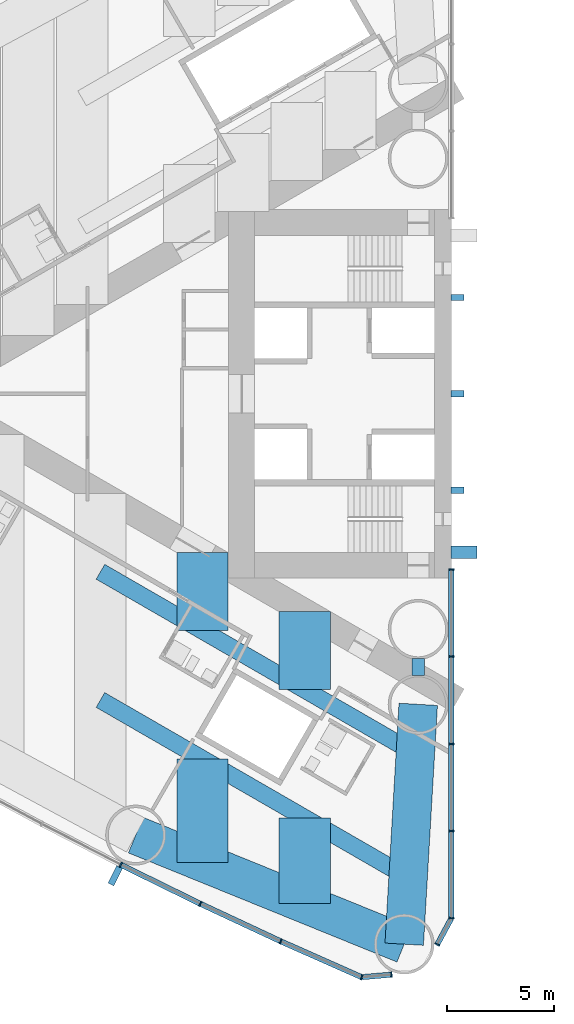
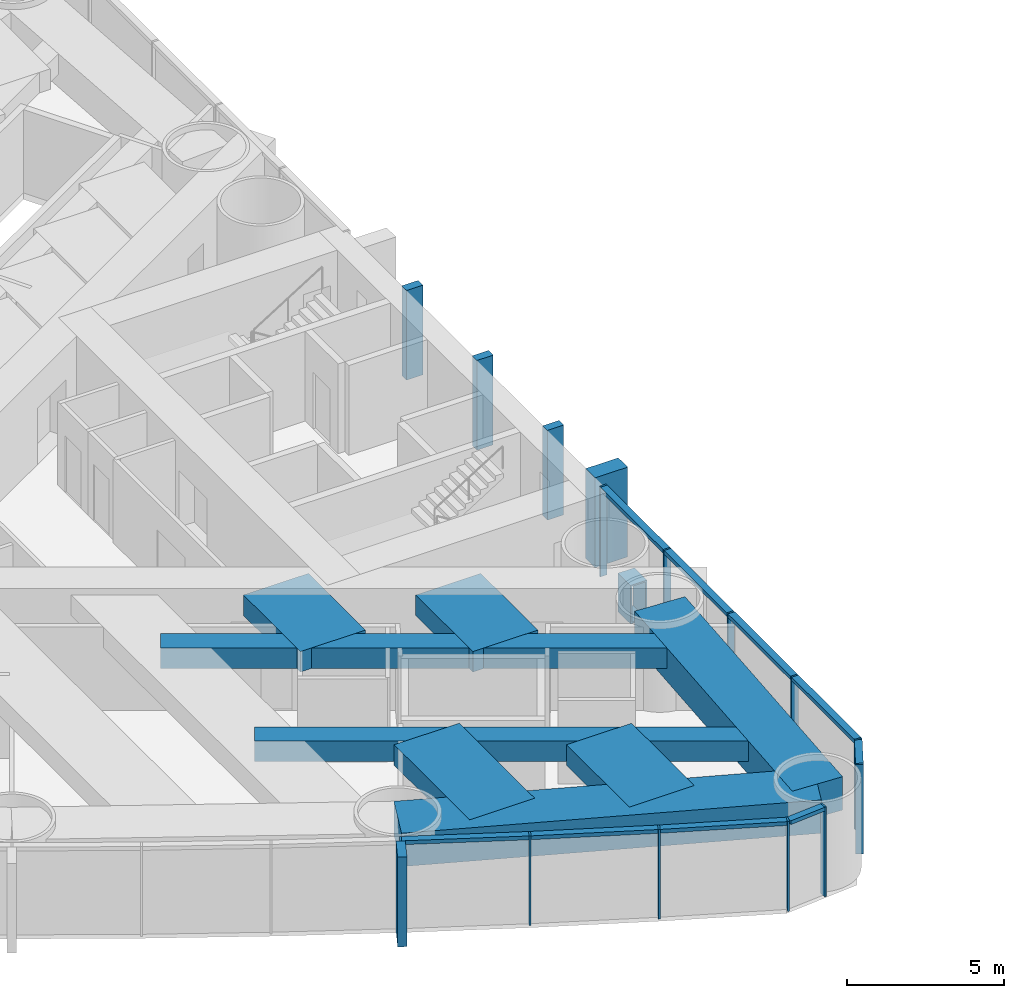
# One storey, part 3 of 19: 25 members, 9 beams, 2 elements without a shape of their own.
"""IFC4 building model written with IfcOpenShell, lengths in metres."""

from ifc_helpers import new_model, si_unit, direction, frame, origin, origin_2d, place, context, subcontext, project, spatial, rectangle, hollow_rectangle, extrude, material, material_profile, profile_set, type_object, element, aggregate, save


model = new_model("IFC4")

# Units and contexts
model_context = context("Model", 3, precision=1e-05, world=origin(), true_north=direction((0.0, 1.0)))
body_context = subcontext(model_context, "Body", "Model", "MODEL_VIEW")
ifc_project = project(units=[si_unit("LENGTHUNIT", "METRE"), si_unit("AREAUNIT", "SQUARE_METRE"), si_unit("VOLUMEUNIT", "CUBIC_METRE"), si_unit("PLANEANGLEUNIT", "RADIAN"), si_unit("MASSUNIT", "GRAM", prefix="KILO")], contexts=[model_context])

# Site, building, storey
site_placement = place(None, origin())
site = spatial("IfcSite", under=ifc_project, at=site_placement, CompositionType="ELEMENT")
building_placement = place(site_placement, origin())
building = spatial("IfcBuilding", under=site, at=building_placement, Name="Lancet Gate Hotel", CompositionType="ELEMENT")
storey_placement = place(building_placement, frame((0.0, 0.0, 21.5)))
storey = spatial("IfcBuildingStorey", under=building, at=storey_placement, Name="L04", CompositionType="ELEMENT", Elevation=21.5)

# Curtain wall, members
ifc_material_1 = material(Name="Aluminium curtain wall", Category="aluminium")
curtain_wall_type = type_object("IfcCurtainWallType", Name="Tower unitised curtain wall", PredefinedType="USERDEFINED", material=ifc_material_1)
curtain_wall_1_placement = place(storey_placement, origin())
curtain_wall_1 = element("IfcCurtainWall", 1, at=curtain_wall_1_placement, inside=storey, type_object=curtain_wall_type, Name="T1 L04 curtain wall 3", ObjectType="UNITISED CURTAIN WALL", PredefinedType="USERDEFINED")
ifc_material_2 = material(Name="Aluminium mullion", Category="aluminium")
ifc_material_profile_1 = material_profile(ifc_material_2, rectangle(XDim=0.06494140625, YDim=0.25, at=origin_2d()), Name="MULLION 65x250")
ifc_profile_set_1 = profile_set([ifc_material_profile_1], Name="Aluminium mullion")
member_type_1 = type_object("IfcMemberType", Name="Aluminium mullion 65x250", PredefinedType="MULLION", material=ifc_profile_set_1)
member_1_placement = place(storey_placement, frame((-42.94189453125, -21.991943359375, 0.0), z_axis=(0.0, 0.0, 1.0), x_axis=(0.893291549794, -0.449477704748, 0.0)))
member_1 = element("IfcMember", 2, at=member_1_placement, type_object=member_type_1, Name="T1 L04 curtain wall 3 mullion 11", PredefinedType="MULLION", context=body_context, shape_type="SweptSolid", body=[
    extrude(rectangle(XDim=0.06494140625, YDim=0.25, at=origin_2d()), origin(), (0.0, 0.0, 1.0), 3.5),
])
member_2_placement = place(storey_placement, frame((-39.225341796875, -23.816650390625, 0.0), z_axis=(0.0, 0.0, 1.0), x_axis=(0.901928838337, -0.431884672772, 0.0)))
member_2 = element("IfcMember", 3, at=member_2_placement, type_object=member_type_1, Name="T1 L04 curtain wall 3 mullion 12", PredefinedType="MULLION", context=body_context, shape_type="SweptSolid", body=[
    extrude(rectangle(XDim=0.06494140625, YDim=0.25, at=origin_2d()), origin(), (0.0, 0.0, 1.0), 3.5),
])
member_3_placement = place(storey_placement, frame((-35.473876953125, -25.568115234375, 0.0), z_axis=(0.0, 0.0, 1.0), x_axis=(0.910219680212, -0.414125746308, 0.0)))
member_3 = element("IfcMember", 4, at=member_3_placement, type_object=member_type_1, Name="T1 L04 curtain wall 3 mullion 13", PredefinedType="MULLION", context=body_context, shape_type="SweptSolid", body=[
    extrude(rectangle(XDim=0.06494140625, YDim=0.25, at=origin_2d()), origin(), (0.0, 0.0, 1.0), 3.5),
])
member_4_placement = place(storey_placement, frame((-31.688720703125, -27.24560546875, 0.0), z_axis=(0.0, 0.0, 1.0), x_axis=(0.957524354695, -0.288352406209, 0.0)))
member_4 = element("IfcMember", 5, at=member_4_placement, type_object=member_type_1, Name="T1 L04 curtain wall 3 mullion 14", PredefinedType="MULLION", context=body_context, shape_type="SweptSolid", body=[
    extrude(rectangle(XDim=0.06494140625, YDim=0.25, at=origin_2d()), origin(), (0.0, 0.0, 1.0), 3.5),
])
member_5_placement = place(storey_placement, frame((-30.3046875, -27.124755859375, 0.0), z_axis=(0.0, 0.0, 1.0), x_axis=(0.99620380374, 0.087051602022, 0.0)))
member_5 = element("IfcMember", 6, at=member_5_placement, type_object=member_type_1, Name="T1 L04 curtain wall 3 mullion 15", PredefinedType="MULLION", context=body_context, shape_type="SweptSolid", body=[
    extrude(rectangle(XDim=0.06494140625, YDim=0.25, at=origin_2d()), origin(), (0.0, 0.0, 1.0), 3.5),
])

curtain_wall_2_placement = place(storey_placement, origin())
curtain_wall_2 = element("IfcCurtainWall", 7, at=curtain_wall_2_placement, inside=storey, type_object=curtain_wall_type, Name="T1 L04 curtain wall 4", ObjectType="UNITISED CURTAIN WALL", PredefinedType="USERDEFINED")
member_6_placement = place(storey_placement, frame((-28.158935546875, -25.712890625, 0.0), z_axis=(0.0, 0.0, 1.0), x_axis=(0.474631040972, 0.880184852714, 0.0)))
member_6 = element("IfcMember", 8, at=member_6_placement, type_object=member_type_1, Name="T1 L04 curtain wall 4 mullion 1", PredefinedType="MULLION", context=body_context, shape_type="SweptSolid", body=[
    extrude(rectangle(XDim=0.06494140625, YDim=0.25, at=origin_2d()), origin(), (0.0, 0.0, 1.0), 3.5),
])
member_7_placement = place(storey_placement, frame((-27.5, -24.4912109375, 0.0), z_axis=(0.0, 0.0, 1.0), x_axis=(0.123482502544, 0.992346749662, 0.0)))
member_7 = element("IfcMember", 9, at=member_7_placement, type_object=member_type_1, Name="T1 L04 curtain wall 4 mullion 2", PredefinedType="MULLION", context=body_context, shape_type="SweptSolid", body=[
    extrude(rectangle(XDim=0.06494140625, YDim=0.25, at=origin_2d()), origin(), (0.0, 0.0, 1.0), 3.5),
])
member_8_placement = place(storey_placement, frame((-27.5, -20.41845703125, 0.0), z_axis=(0.0, 0.0, 1.0), x_axis=(0.0, 1.0, 0.0)))
member_8 = element("IfcMember", 10, at=member_8_placement, type_object=member_type_1, Name="T1 L04 curtain wall 4 mullion 3", PredefinedType="MULLION", context=body_context, shape_type="SweptSolid", body=[
    extrude(rectangle(XDim=0.06494140625, YDim=0.25, at=origin_2d()), origin(), (0.0, 0.0, 1.0), 3.5),
])
member_9_placement = place(storey_placement, frame((-27.5, -16.345703125, 0.0), z_axis=(0.0, 0.0, 1.0), x_axis=(0.0, 1.0, 0.0)))
member_9 = element("IfcMember", 11, at=member_9_placement, type_object=member_type_1, Name="T1 L04 curtain wall 4 mullion 4", PredefinedType="MULLION", context=body_context, shape_type="SweptSolid", body=[
    extrude(rectangle(XDim=0.06494140625, YDim=0.25, at=origin_2d()), origin(), (0.0, 0.0, 1.0), 3.5),
])
member_10_placement = place(storey_placement, frame((-27.5, -12.272705078125, 0.0), z_axis=(0.0, 0.0, 1.0), x_axis=(0.0, 1.0, 0.0)))
member_10 = element("IfcMember", 12, at=member_10_placement, type_object=member_type_1, Name="T1 L04 curtain wall 4 mullion 5", PredefinedType="MULLION", context=body_context, shape_type="SweptSolid", body=[
    extrude(rectangle(XDim=0.06494140625, YDim=0.25, at=origin_2d()), origin(), (0.0, 0.0, 1.0), 3.5),
])
member_11_placement = place(storey_placement, frame((-27.5, -8.199951171875, 0.0), z_axis=(0.0, 0.0, 1.0), x_axis=(0.0, 1.0, 0.0)))
member_11 = element("IfcMember", 13, at=member_11_placement, type_object=member_type_1, Name="T1 L04 curtain wall 4 mullion 6", PredefinedType="MULLION", context=body_context, shape_type="SweptSolid", body=[
    extrude(rectangle(XDim=0.06494140625, YDim=0.25, at=origin_2d()), origin(), (0.0, 0.0, 1.0), 3.5),
])

# Member
ifc_material_3 = material(Name="Aluminium transom", Category="aluminium")
ifc_material_profile_2 = material_profile(ifc_material_3, rectangle(XDim=0.25, YDim=0.14990234375, at=origin_2d()), Name="TRANSOM 250x150")
ifc_profile_set_2 = profile_set([ifc_material_profile_2], Name="Aluminium transom")
member_type_2 = type_object("IfcMemberType", Name="Aluminium transom 250x150", PredefinedType="USERDEFINED", material=ifc_profile_set_2)
member_12_placement = place(storey_placement, frame((-42.912841796875, -22.00634765625, 3.425048828125), z_axis=(0.897662439958, -0.440683723194, 0.0), x_axis=(0.440683723194, 0.897662439958, 0.0)))
member_12 = element("IfcMember", 14, at=member_12_placement, type_object=member_type_2, Name="T1 L04 curtain wall 3 transom 11", ObjectType="TRANSOM", PredefinedType="USERDEFINED", context=body_context, shape_type="SweptSolid", body=[
    extrude(rectangle(XDim=0.25, YDim=0.14990234375, at=origin_2d()), origin(), (0.0, 0.0, 1.0), 4.0751953125),
])

member_13_placement = place(storey_placement, frame((-39.196044921875, -23.830322265625, 3.425048828125), z_axis=(0.906109667261, -0.423042871228, 0.0), x_axis=(0.423042871228, 0.906109667261, 0.0)))
member_13 = element("IfcMember", 15, at=member_13_placement, type_object=member_type_2, Name="T1 L04 curtain wall 3 transom 12", ObjectType="TRANSOM", PredefinedType="USERDEFINED", context=body_context, shape_type="SweptSolid", body=[
    extrude(rectangle(XDim=0.25, YDim=0.14990234375, at=origin_2d()), origin(), (0.0, 0.0, 1.0), 4.075439453125),
])

member_14_placement = place(storey_placement, frame((-35.444091796875, -25.581298828125, 3.425048828125), z_axis=(0.914248281954, -0.405154389022, 0.0), x_axis=(0.405154389022, 0.914248281954, 0.0)))
member_14 = element("IfcMember", 16, at=member_14_placement, type_object=member_type_2, Name="T1 L04 curtain wall 3 transom 13", ObjectType="TRANSOM", PredefinedType="USERDEFINED", context=body_context, shape_type="SweptSolid", body=[
    extrude(rectangle(XDim=0.25, YDim=0.14990234375, at=origin_2d()), origin(), (0.0, 0.0, 1.0), 4.0751953125),
])

member_15_placement = place(storey_placement, frame((-31.65625, -27.242919921875, 3.425048828125), z_axis=(0.99620591587, 0.087027427779, 0.0), x_axis=(-0.087027427779, 0.99620591587, 0.0)))
member_15 = element("IfcMember", 17, at=member_15_placement, type_object=member_type_2, Name="T1 L04 curtain wall 3 transom 14", ObjectType="TRANSOM", PredefinedType="USERDEFINED", context=body_context, shape_type="SweptSolid", body=[
    extrude(rectangle(XDim=0.25, YDim=0.14990234375, at=origin_2d()), origin(), (0.0, 0.0, 1.0), 1.32421875),
])

member_16_placement = place(storey_placement, frame((-28.143310546875, -25.684326171875, 3.425048828125), z_axis=(0.474605926905, 0.880198394765, 0.0), x_axis=(-0.880198394765, 0.474605926905, 0.0)))
member_16 = element("IfcMember", 18, at=member_16_placement, type_object=member_type_2, Name="T1 L04 curtain wall 4 transom 1", ObjectType="TRANSOM", PredefinedType="USERDEFINED", context=body_context, shape_type="SweptSolid", body=[
    extrude(rectangle(XDim=0.25, YDim=0.14990234375, at=origin_2d()), origin(), (0.0, 0.0, 1.0), 1.322998046875),
])

member_17_placement = place(storey_placement, frame((-27.5, -24.458740234375, 3.425048828125), z_axis=(0.0, 1.0, 0.0), x_axis=(-1.0, 0.0, 0.0)))
member_17 = element("IfcMember", 19, at=member_17_placement, type_object=member_type_2, Name="T1 L04 curtain wall 4 transom 2", ObjectType="TRANSOM", PredefinedType="USERDEFINED", context=body_context, shape_type="SweptSolid", body=[
    extrude(rectangle(XDim=0.25, YDim=0.14990234375, at=origin_2d()), origin(), (0.0, 0.0, 1.0), 4.0078125),
])

member_18_placement = place(storey_placement, frame((-27.5, -20.385986328125, 3.425048828125), z_axis=(0.0, 1.0, 0.0), x_axis=(-1.0, 0.0, 0.0)))
member_18 = element("IfcMember", 20, at=member_18_placement, type_object=member_type_2, Name="T1 L04 curtain wall 4 transom 3", ObjectType="TRANSOM", PredefinedType="USERDEFINED", context=body_context, shape_type="SweptSolid", body=[
    extrude(rectangle(XDim=0.25, YDim=0.14990234375, at=origin_2d()), origin(), (0.0, 0.0, 1.0), 4.0078125),
])

member_19_placement = place(storey_placement, frame((-27.5, -16.31298828125, 3.425048828125), z_axis=(0.0, 1.0, 0.0), x_axis=(-1.0, 0.0, 0.0)))
member_19 = element("IfcMember", 21, at=member_19_placement, type_object=member_type_2, Name="T1 L04 curtain wall 4 transom 4", ObjectType="TRANSOM", PredefinedType="USERDEFINED", context=body_context, shape_type="SweptSolid", body=[
    extrude(rectangle(XDim=0.25, YDim=0.14990234375, at=origin_2d()), origin(), (0.0, 0.0, 1.0), 4.0078125),
])

member_20_placement = place(storey_placement, frame((-27.5, -12.240234375, 3.425048828125), z_axis=(0.0, 1.0, 0.0), x_axis=(-1.0, 0.0, 0.0)))
member_20 = element("IfcMember", 22, at=member_20_placement, type_object=member_type_2, Name="T1 L04 curtain wall 4 transom 5", ObjectType="TRANSOM", PredefinedType="USERDEFINED", context=body_context, shape_type="SweptSolid", body=[
    extrude(rectangle(XDim=0.25, YDim=0.14990234375, at=origin_2d()), origin(), (0.0, 0.0, 1.0), 4.0078125),
])

aggregate(curtain_wall_2, [member_6, member_7, member_8, member_9, member_10, member_11, member_16, member_17, member_18, member_19, member_20])

# Beams
ifc_material_4 = material(Name="Concrete C50/60", Category="concrete")
ifc_material_profile_3 = material_profile(ifc_material_4, rectangle(XDim=1.800048828125, YDim=1.300048828125, at=origin_2d()), Name="RC 1800x1300")
ifc_profile_set_3 = profile_set([ifc_material_profile_3], Name="Concrete C50/60")
beam_type_1 = type_object("IfcBeamType", Name="Edge beam RC 1800x1300", PredefinedType="SPANDREL", material=ifc_profile_set_3)
beam_1_placement = place(storey_placement, frame((-42.2451171875, -20.607421875, 2.60009765625), z_axis=(0.926463236197, -0.376385270667, 0.0), x_axis=(0.376385270667, 0.926463236197, 0.0)))
element("IfcBeam", 23, at=beam_1_placement, inside=storey, type_object=beam_type_1, Name="T1 edge beam EB1 L04", PredefinedType="SPANDREL", context=body_context, shape_type="SweptSolid", body=[
    extrude(rectangle(XDim=1.800048828125, YDim=1.300048828125, at=origin_2d()), origin(), (0.0, 0.0, 1.0), 13.537353515625),
])
beam_2_placement = place(storey_placement, frame((-29.050048828125, -14.5, 2.60009765625), z_axis=(-0.058219521912, -0.998303805096, 0.0), x_axis=(0.998303805096, -0.058219521912, 0.0)))
element("IfcBeam", 24, at=beam_2_placement, inside=storey, type_object=beam_type_1, Name="T1 edge beam EB1 L04", PredefinedType="SPANDREL", context=body_context, shape_type="SweptSolid", body=[
    extrude(rectangle(XDim=1.800048828125, YDim=1.300048828125, at=origin_2d()), origin(), (0.0, 0.0, 1.0), 11.2216796875),
])

# Member
ifc_material_5 = material(Name="Concrete C60/75", Category="concrete")
ifc_material_profile_4 = material_profile(ifc_material_5, rectangle(XDim=0.60009765625, YDim=1.199951171875, at=origin_2d()), Name="FIN 600x1200")
ifc_profile_set_4 = profile_set([ifc_material_profile_4], Name="Concrete C60/75")
member_type_3 = type_object("IfcMemberType", Name="Exposed concrete buttress pilaster 600x1200", PredefinedType="USERDEFINED", material=ifc_profile_set_4)
member_21_placement = place(storey_placement, frame((-26.909912109375, -7.39990234375, 0.0), z_axis=(0.0, 0.0, 1.0), x_axis=(0.0, 1.0, 0.0)))
element("IfcMember", 25, at=member_21_placement, inside=storey, type_object=member_type_3, Name="T1 buttress pilaster N L04", ObjectType="FIN", PredefinedType="USERDEFINED", context=body_context, shape_type="SweptSolid", body=[
    extrude(rectangle(XDim=0.60009765625, YDim=1.199951171875, at=origin_2d()), origin(), (0.0, 0.0, 1.0), 3.5),
])

ifc_material_6 = material(Name="Precast concrete C50/60", Category="concrete")
ifc_material_profile_5 = material_profile(ifc_material_6, rectangle(XDim=0.300048828125, YDim=0.89990234375, at=origin_2d()), Name="FIN 300x900")
ifc_profile_set_5 = profile_set([ifc_material_profile_5], Name="Precast concrete C50/60")
member_type_4 = type_object("IfcMemberType", Name="Exposed concrete fin 300x900", PredefinedType="USERDEFINED", material=ifc_profile_set_5)
member_22_placement = place(storey_placement, frame((-43.200439453125, -22.505615234375, 0.0), z_axis=(0.0, 0.0, 1.0), x_axis=(0.893291549794, -0.449477704748, 0.0)))
member_22 = element("IfcMember", 26, at=member_22_placement, type_object=member_type_4, Name="T1 L04 curtain wall 3 fin 11", ObjectType="FIN", PredefinedType="USERDEFINED", context=body_context, shape_type="SweptSolid", body=[
    extrude(rectangle(XDim=0.300048828125, YDim=0.89990234375, at=origin_2d()), origin(), (0.0, 0.0, 1.0), 3.5),
])

aggregate(curtain_wall_1, [member_1, member_22, member_2, member_3, member_4, member_5, member_12, member_13, member_14, member_15])

# Members
ifc_material_7 = material(Name="Concrete C60/75", Category="concrete")
ifc_material_profile_6 = material_profile(ifc_material_7, rectangle(XDim=0.300048828125, YDim=0.60009765625, at=origin_2d()), Name="FIN 300x600")
ifc_profile_set_6 = profile_set([ifc_material_profile_6], Name="Concrete C60/75")
member_type_5 = type_object("IfcMemberType", Name="Exposed concrete rib 300x600", PredefinedType="USERDEFINED", material=ifc_profile_set_6)
for number, where, z_axis, x_axis, name in (
    (27, (-27.2099609375, 4.5, 0.0), (0.0, 0.0, 1.0), (0.0, 1.0, 0.0), "T1 core rib 1 L04"),
    (28, (-27.2099609375, 0.0, 0.0), (0.0, 0.0, 1.0), (0.0, 1.0, 0.0), "T1 core rib 2 L04"),
    (29, (-27.2099609375, -4.5, 0.0), (0.0, 0.0, 1.0), (0.0, 1.0, 0.0), "T1 core rib 3 L04"),
):
    element("IfcMember", number, at=place(storey_placement, frame(where, z_axis=z_axis, x_axis=x_axis)), inside=storey, type_object=member_type_5, Name=name, ObjectType="FIN", PredefinedType="USERDEFINED", context=body_context, shape_type="SweptSolid", body=[
        extrude(rectangle(XDim=0.300048828125, YDim=0.60009765625, at=origin_2d()), origin(), (0.0, 0.0, 1.0), 3.5),
    ])

# Beams
ifc_material_8 = material(Name="Concrete C50/60", Category="concrete")
ifc_material_profile_7 = material_profile(ifc_material_8, rectangle(XDim=2.39990234375, YDim=0.800048828125, at=origin_2d()), Name="RC 2400x800")
ifc_profile_set_7 = profile_set([ifc_material_profile_7], Name="Concrete C50/60")
beam_type_2 = type_object("IfcBeamType", Name="Floor beam RC 2400x800", PredefinedType="BEAM", material=ifc_profile_set_7)
beam_3_placement = place(storey_placement, frame((-34.353515625, -10.169921875, 2.85009765625), z_axis=(0.0, -1.0, 0.0), x_axis=(1.0, 0.0, 0.0)))
element("IfcBeam", 30, at=beam_3_placement, inside=storey, type_object=beam_type_2, Name="T1 floor beam F03NA L04", PredefinedType="BEAM", context=body_context, shape_type="SweptSolid", body=[
    extrude(rectangle(XDim=2.39990234375, YDim=0.800048828125, at=origin_2d()), origin(), (0.0, 0.0, 1.0), 3.645751953125),
])
beam_4_placement = place(storey_placement, frame((-34.353515625, -19.802978515625, 2.85009765625), z_axis=(0.0, -1.0, 0.0), x_axis=(1.0, 0.0, 0.0)))
element("IfcBeam", 31, at=beam_4_placement, inside=storey, type_object=beam_type_2, Name="T1 floor beam F03NB L04", PredefinedType="BEAM", context=body_context, shape_type="SweptSolid", body=[
    extrude(rectangle(XDim=2.39990234375, YDim=0.800048828125, at=origin_2d()), origin(), (0.0, 0.0, 1.0), 4.010498046875),
])
beam_5_placement = place(storey_placement, frame((-39.122314453125, -7.41650390625, 2.85009765625), z_axis=(0.0, -1.0, 0.0), x_axis=(1.0, 0.0, 0.0)))
element("IfcBeam", 32, at=beam_5_placement, inside=storey, type_object=beam_type_2, Name="T1 floor beam F06NA L04", PredefinedType="BEAM", context=body_context, shape_type="SweptSolid", body=[
    extrude(rectangle(XDim=2.39990234375, YDim=0.800048828125, at=origin_2d()), origin(), (0.0, 0.0, 1.0), 3.64599609375),
])
beam_6_placement = place(storey_placement, frame((-39.122314453125, -17.0498046875, 2.85009765625), z_axis=(0.0, -1.0, 0.0), x_axis=(1.0, 0.0, 0.0)))
element("IfcBeam", 33, at=beam_6_placement, inside=storey, type_object=beam_type_2, Name="T1 floor beam F06NB L04", PredefinedType="BEAM", context=body_context, shape_type="SweptSolid", body=[
    extrude(rectangle(XDim=2.39990234375, YDim=0.800048828125, at=origin_2d()), origin(), (0.0, 0.0, 1.0), 4.826416015625),
])
ifc_material_9 = material(Name="Steel S460QL", Category="steel")
ifc_material_profile_8 = material_profile(ifc_material_9, hollow_rectangle(XDim=0.60009765625, YDim=1.5, WallThickness=0.050048828125, at=origin_2d()), Name="BOX 1500x600x50")
ifc_profile_set_8 = profile_set([ifc_material_profile_8], Name="Steel S460QL")
beam_type_3 = type_object("IfcBeamType", Name="Inner-face link beam BOX 1500x600x50", PredefinedType="BEAM", material=ifc_profile_set_8)
beam_7_placement = place(storey_placement, frame((-29.050048828125, -12.35009765625, 2.5), z_axis=(0.0, -1.0, 0.0), x_axis=(1.0, 0.0, 0.0)))
element("IfcBeam", 34, at=beam_7_placement, inside=storey, type_object=beam_type_3, Name="T1 inner-face link beam LK1 L04", PredefinedType="BEAM", context=body_context, shape_type="SweptSolid", body=[
    extrude(hollow_rectangle(XDim=0.60009765625, YDim=1.5, WallThickness=0.050048828125, at=origin_2d()), origin(), (0.0, 0.0, 1.0), 0.7998046875),
])
ifc_material_10 = material(Name="Steel S460QL", Category="steel")
ifc_material_profile_9 = material_profile(ifc_material_10, hollow_rectangle(XDim=0.800048828125, YDim=0.800048828125, WallThickness=0.080078125, at=origin_2d()), Name="BOX 800x800x80")
ifc_profile_set_9 = profile_set([ifc_material_profile_9], Name="Steel S460QL")
beam_type_4 = type_object("IfcBeamType", Name="Trimmer beam BOX 800x800x80", PredefinedType="BEAM", material=ifc_profile_set_9)
for number, where, z_axis, x_axis, name in (
    (35, (-29.58447265625, -22.55615234375, 2.85009765625), (-0.866040141834, 0.49997447208, 0.0), (-0.49997447208, -0.866040141834, 0.0), "T1 trimmer beam TR03N L04"),
    (36, (-29.58447265625, -16.56884765625, 2.85009765625), (-0.866040141834, 0.49997447208, 0.0), (-0.49997447208, -0.866040141834, 0.0), "T1 trimmer beam TR04N L04"),
):
    element("IfcBeam", number, at=place(storey_placement, frame(where, z_axis=z_axis, x_axis=x_axis)), inside=storey, type_object=beam_type_4, Name=name, PredefinedType="BEAM", context=body_context, shape_type="SweptSolid", body=[
        extrude(hollow_rectangle(XDim=0.800048828125, YDim=0.800048828125, WallThickness=0.080078125, at=origin_2d()), origin(), (0.0, 0.0, 1.0), 16.519775390625),
    ])

save(model, "model.ifc")
